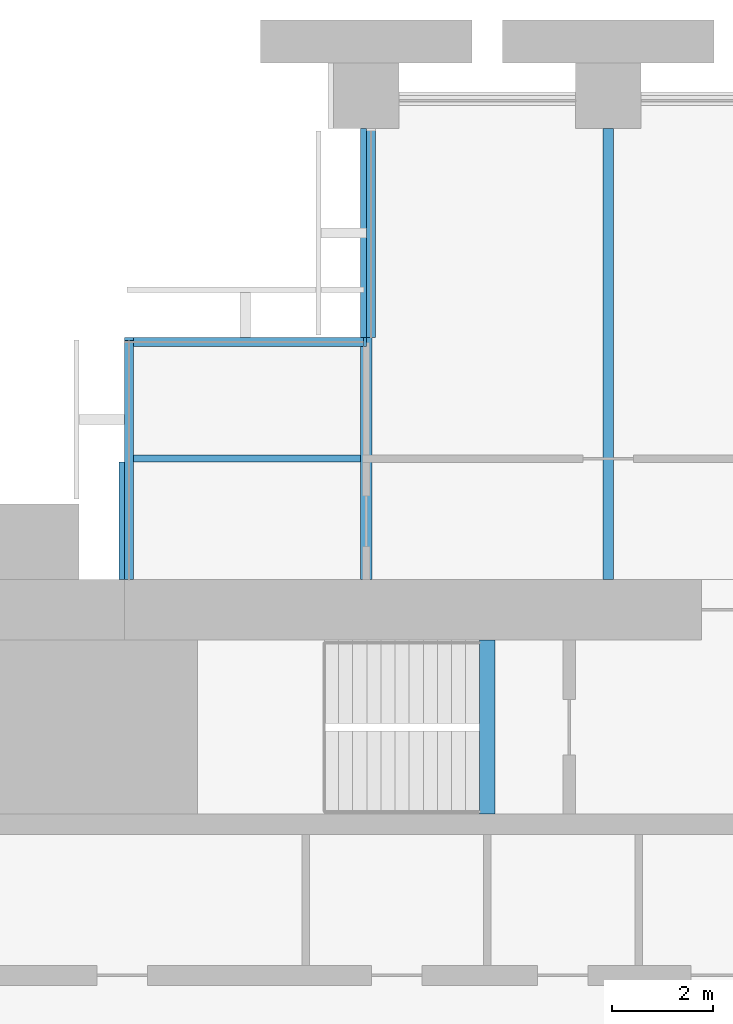
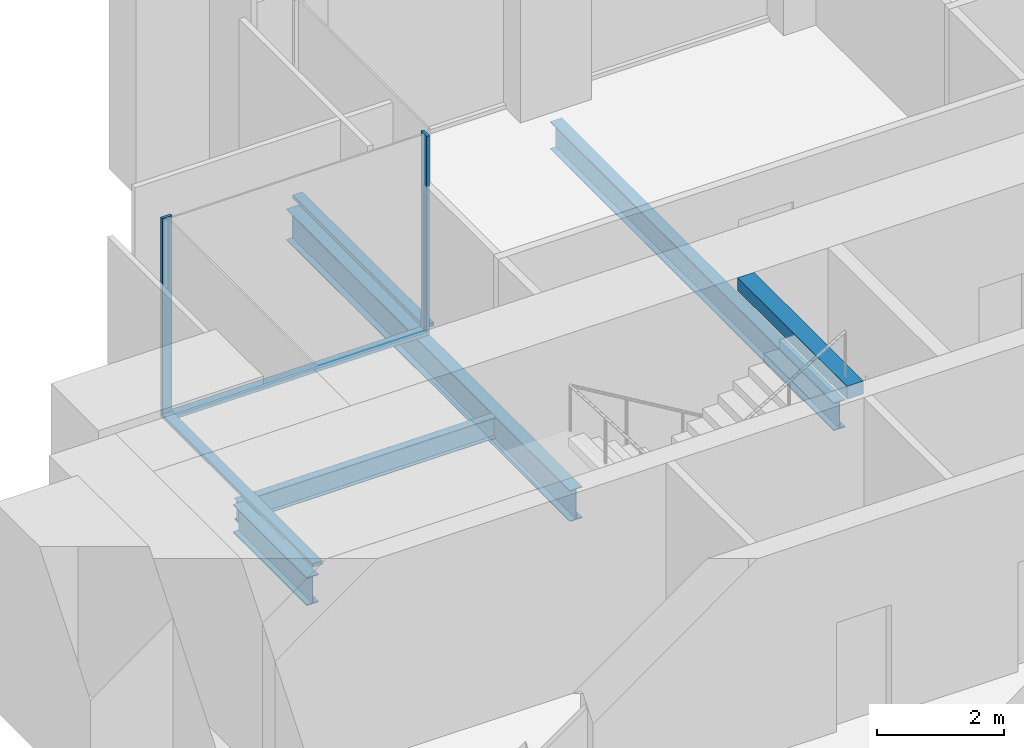
# One storey, part 5 of 14: 5 beams, 5 members, 3 elements without a shape of their own.
"""IFC4 building model written with IfcOpenShell, lengths in metres."""

from ifc_helpers import new_model, si_unit, direction, frame, origin, origin_2d, place, context, subcontext, project, spatial, rectangle, i_section, extrude, material, material_profile, profile_set, type_object, element, aggregate, save


model = new_model("IFC4")

# Units and contexts
model_context = context("Model", 3, precision=1e-05, world=origin(), true_north=direction((0.0, 1.0)))
body_context = subcontext(model_context, "Body", "Model", "MODEL_VIEW")
ifc_project = project(units=[si_unit("LENGTHUNIT", "METRE"), si_unit("AREAUNIT", "SQUARE_METRE"), si_unit("VOLUMEUNIT", "CUBIC_METRE"), si_unit("PLANEANGLEUNIT", "RADIAN"), si_unit("MASSUNIT", "GRAM", prefix="KILO")], contexts=[model_context])

# Site, building, storey
site_placement = place(None, origin())
site = spatial("IfcSite", under=ifc_project, at=site_placement, CompositionType="ELEMENT")
building_placement = place(site_placement, origin())
building = spatial("IfcBuilding", under=site, at=building_placement, Name="Baori Bourse Tower", CompositionType="ELEMENT")
storey_placement = place(building_placement, frame((0.0, 0.0, 51.0)))
storey = spatial("IfcBuildingStorey", under=building, at=storey_placement, Name="L10", CompositionType="ELEMENT", Elevation=51.0)

# Curtain wall, member
ifc_material_1 = material(Name="Pale anodised aluminium", Category="aluminium")
curtain_wall_type = type_object("IfcCurtainWallType", Name="CW2 Curtain wall", PredefinedType="NOTDEFINED", material=ifc_material_1)
curtain_wall_1_placement = place(storey_placement, origin())
curtain_wall_1 = element("IfcCurtainWall", 1, at=curtain_wall_1_placement, inside=storey, type_object=curtain_wall_type, Name="Curtain wall CW2 L10 6", PredefinedType="NOTDEFINED")
ifc_material_2 = material(Name="Pale anodised aluminium", Category="aluminium")
ifc_material_profile_1 = material_profile(ifc_material_2, rectangle(XDim=0.179931640625, YDim=0.054931640625, at=origin_2d()), Name="Mullion 55x180")
ifc_profile_set_1 = profile_set([ifc_material_profile_1], Name="Pale anodised aluminium")
member_type_1 = type_object("IfcMemberType", Name="CW2 Curtain wall mullion", PredefinedType="MULLION", material=ifc_profile_set_1)
member_1_placement = place(storey_placement, frame((9.572509765625, 43.110107421875, 0.070068359375), z_axis=(0.0, 0.0, 1.0), x_axis=(0.0, -1.0, 0.0)))
member_1 = element("IfcMember", 2, at=member_1_placement, type_object=member_type_1, Name="Curtain wall CW2 mullion", PredefinedType="MULLION", context=body_context, shape_type="SweptSolid", body=[
    extrude(rectangle(XDim=0.179931640625, YDim=0.054931640625, at=origin_2d()), origin(), (0.0, 0.0, 1.0), 3.77001953125),
])

curtain_wall_2_placement = place(storey_placement, origin())
curtain_wall_2 = element("IfcCurtainWall", 3, at=curtain_wall_2_placement, inside=storey, type_object=curtain_wall_type, Name="Curtain wall CW2 L10 7", PredefinedType="NOTDEFINED")
member_2_placement = place(storey_placement, frame((4.889892578125, 43.172607421875, 0.070068359375), z_axis=(0.0, 0.0, 1.0), x_axis=(1.0, 0.0, 0.0)))
member_2 = element("IfcMember", 4, at=member_2_placement, type_object=member_type_1, Name="Curtain wall CW2 mullion", PredefinedType="MULLION", context=body_context, shape_type="SweptSolid", body=[
    extrude(rectangle(XDim=0.179931640625, YDim=0.054931640625, at=origin_2d()), origin(), (0.0, 0.0, 1.0), 3.77001953125),
])

curtain_wall_3_placement = place(storey_placement, origin())
curtain_wall_3 = element("IfcCurtainWall", 5, at=curtain_wall_3_placement, inside=storey, type_object=curtain_wall_type, Name="Curtain wall CW2 L10 5", PredefinedType="NOTDEFINED")
ifc_material_3 = material(Name="Pale anodised aluminium", Category="aluminium")
ifc_material_profile_2 = material_profile(ifc_material_3, rectangle(XDim=0.179931640625, YDim=0.070068359375, at=origin_2d()), Name="Transom 70x180")
ifc_profile_set_2 = profile_set([ifc_material_profile_2], Name="Pale anodised aluminium")
member_type_2 = type_object("IfcMemberType", Name="CW2 Curtain wall transom", PredefinedType="USERDEFINED", material=ifc_profile_set_2)
member_3_placement = place(storey_placement, frame((9.68994140625, 47.35009765625, 0.034912109375), z_axis=(0.0, -1.0, 0.0), x_axis=(1.0, 0.0, 0.0)))
member_3 = element("IfcMember", 6, at=member_3_placement, type_object=member_type_2, Name="Curtain wall CW2 sill rail", ObjectType="TRANSOM", PredefinedType="USERDEFINED", context=body_context, shape_type="SweptSolid", body=[
    extrude(rectangle(XDim=0.179931640625, YDim=0.070068359375, at=origin_2d()), origin(), (0.0, 0.0, 1.0), 4.150146484375),
])
aggregate(curtain_wall_3, [member_3])

# Member
member_4_placement = place(storey_placement, frame((9.60009765625, 43.110107421875, 0.034912109375), z_axis=(-1.0, 0.0, 0.0), x_axis=(0.0, -1.0, 0.0)))
member_4 = element("IfcMember", 7, at=member_4_placement, type_object=member_type_2, Name="Curtain wall CW2 sill rail", ObjectType="TRANSOM", PredefinedType="USERDEFINED", context=body_context, shape_type="SweptSolid", body=[
    extrude(rectangle(XDim=0.179931640625, YDim=0.070068359375, at=origin_2d()), origin(), (0.0, 0.0, 1.0), 4.800048828125),
])

aggregate(curtain_wall_1, [member_4, member_1])

member_5_placement = place(storey_placement, frame((4.889892578125, 43.199951171875, 0.034912109375), z_axis=(0.0, -1.0, 0.0), x_axis=(1.0, 0.0, 0.0)))
member_5 = element("IfcMember", 8, at=member_5_placement, type_object=member_type_2, Name="Curtain wall CW2 sill rail", ObjectType="TRANSOM", PredefinedType="USERDEFINED", context=body_context, shape_type="SweptSolid", body=[
    extrude(rectangle(XDim=0.179931640625, YDim=0.070068359375, at=origin_2d()), origin(), (0.0, 0.0, 1.0), 4.800048828125),
])

aggregate(curtain_wall_2, [member_5, member_2])

# Beams
ifc_material_4 = material(Name="Steel A992 Gr 50", Category="steel")
ifc_material_profile_3 = material_profile(ifc_material_4, i_section(OverallWidth=0.21240234375, OverallDepth=0.54345703125, WebThickness=0.01318359375, FlangeThickness=0.021240234375, at=origin_2d()), Name="W21x83")
ifc_profile_set_3 = profile_set([ifc_material_profile_3], Name="Steel A992 Gr 50")
beam_type_1 = type_object("IfcBeamType", Name="Core bracket W21x83", PredefinedType="BEAM", material=ifc_profile_set_3)
beam_1_placement = place(storey_placement, frame((4.800048828125, 38.39990234375, -0.431884765625), z_axis=(0.0, 1.0, 0.0), x_axis=(-1.0, 0.0, 0.0)))
element("IfcBeam", 9, at=beam_1_placement, inside=storey, type_object=beam_type_1, Name="Core bracket L10", PredefinedType="BEAM", context=body_context, shape_type="SweptSolid", body=[
    extrude(i_section(OverallWidth=0.21240234375, OverallDepth=0.54345703125, WebThickness=0.01318359375, FlangeThickness=0.021240234375, at=origin_2d()), origin(), (0.0, 0.0, 1.0), 2.329833984375),
])
ifc_material_5 = material(Name="Steel A992 Gr 50", Category="steel")
ifc_material_profile_4 = material_profile(ifc_material_5, i_section(OverallWidth=0.209228515625, OverallDepth=0.533447265625, WebThickness=0.01025390625, FlangeThickness=0.015625, at=origin_2d()), Name="W21x62")
ifc_profile_set_4 = profile_set([ifc_material_profile_4], Name="Steel A992 Gr 50")
beam_type_2 = type_object("IfcBeamType", Name="Floor beam W21x62", PredefinedType="BEAM", material=ifc_profile_set_4)
beam_2_placement = place(storey_placement, frame((14.39990234375, 38.39990234375, -0.4267578125), z_axis=(0.0, 1.0, 0.0), x_axis=(-1.0, 0.0, 0.0)))
element("IfcBeam", 10, at=beam_2_placement, inside=storey, type_object=beam_type_2, Name="Floor beam L10", PredefinedType="BEAM", context=body_context, shape_type="SweptSolid", body=[
    extrude(i_section(OverallWidth=0.209228515625, OverallDepth=0.533447265625, WebThickness=0.01025390625, FlangeThickness=0.015625, at=origin_2d()), origin(), (0.0, 0.0, 1.0), 8.9501953125),
])
ifc_material_6 = material(Name="Steel A992 Gr 50", Category="steel")
ifc_material_profile_5 = material_profile(ifc_material_6, i_section(OverallWidth=0.227783203125, OverallDepth=0.60205078125, WebThickness=0.010498046875, FlangeThickness=0.014892578125, at=origin_2d()), Name="W24x68")
ifc_profile_set_5 = profile_set([ifc_material_profile_5], Name="Steel A992 Gr 50")
beam_type_3 = type_object("IfcBeamType", Name="Floor beam W24x68", PredefinedType="BEAM", material=ifc_profile_set_5)
beam_3_placement = place(storey_placement, frame((9.60009765625, 38.39990234375, -0.4609375), z_axis=(0.0, 1.0, 0.0), x_axis=(-1.0, 0.0, 0.0)))
element("IfcBeam", 11, at=beam_3_placement, inside=storey, type_object=beam_type_3, Name="Floor beam L10", PredefinedType="BEAM", context=body_context, shape_type="SweptSolid", body=[
    extrude(i_section(OverallWidth=0.227783203125, OverallDepth=0.60205078125, WebThickness=0.010498046875, FlangeThickness=0.014892578125, at=origin_2d()), origin(), (0.0, 0.0, 1.0), 8.9501953125),
])
ifc_material_7 = material(Name="Concrete f'c 50 MPa", Category="concrete")
ifc_material_profile_6 = material_profile(ifc_material_7, rectangle(XDim=0.300048828125, YDim=0.25, at=origin_2d()), Name="RC 300x250")
ifc_profile_set_6 = profile_set([ifc_material_profile_6], Name="Concrete f'c 50 MPa")
beam_type_4 = type_object("IfcBeamType", Name="Stair nib beam RC 300x250", PredefinedType="BEAM", material=ifc_profile_set_6)
beam_4_placement = place(storey_placement, frame((12.0, 33.75, 3.715087890625), z_axis=(0.0, 1.0, 0.0), x_axis=(-1.0, 0.0, 0.0)))
element("IfcBeam", 12, at=beam_4_placement, inside=storey, type_object=beam_type_4, Name="Stair WB nib beam L11", PredefinedType="BEAM", context=body_context, shape_type="SweptSolid", body=[
    extrude(rectangle(XDim=0.300048828125, YDim=0.25, at=origin_2d()), origin(), (0.0, 0.0, 1.0), 3.449951171875),
])
ifc_material_8 = material(Name="Steel A992 Gr 50", Category="steel")
ifc_material_profile_7 = material_profile(ifc_material_8, i_section(OverallWidth=0.140380859375, OverallDepth=0.40380859375, WebThickness=0.007080078125, FlangeThickness=0.01123046875, at=origin_2d()), Name="W16x31")
ifc_profile_set_7 = profile_set([ifc_material_profile_7], Name="Steel A992 Gr 50")
beam_type_5 = type_object("IfcBeamType", Name="Trimmer beam W16x31", PredefinedType="BEAM", material=ifc_profile_set_7)
beam_5_placement = place(storey_placement, frame((4.800048828125, 40.800048828125, -0.36181640625), z_axis=(1.0, 0.0, 0.0), x_axis=(0.0, 1.0, 0.0)))
element("IfcBeam", 13, at=beam_5_placement, inside=storey, type_object=beam_type_5, Name="Trimmer beam L10", PredefinedType="BEAM", context=body_context, shape_type="SweptSolid", body=[
    extrude(i_section(OverallWidth=0.140380859375, OverallDepth=0.40380859375, WebThickness=0.007080078125, FlangeThickness=0.01123046875, at=origin_2d()), origin(), (0.0, 0.0, 1.0), 4.68603515625),
])

save(model, "model.ifc")
